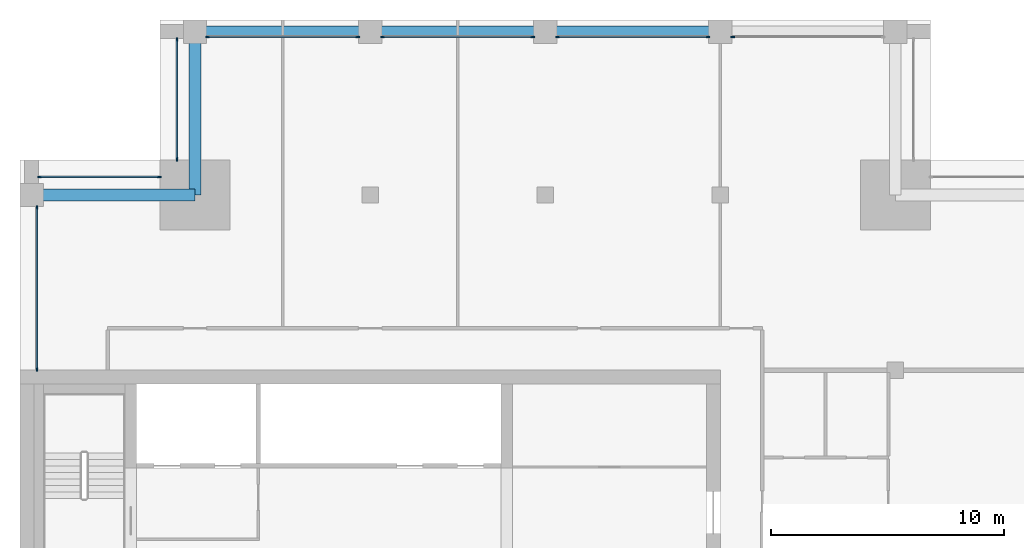
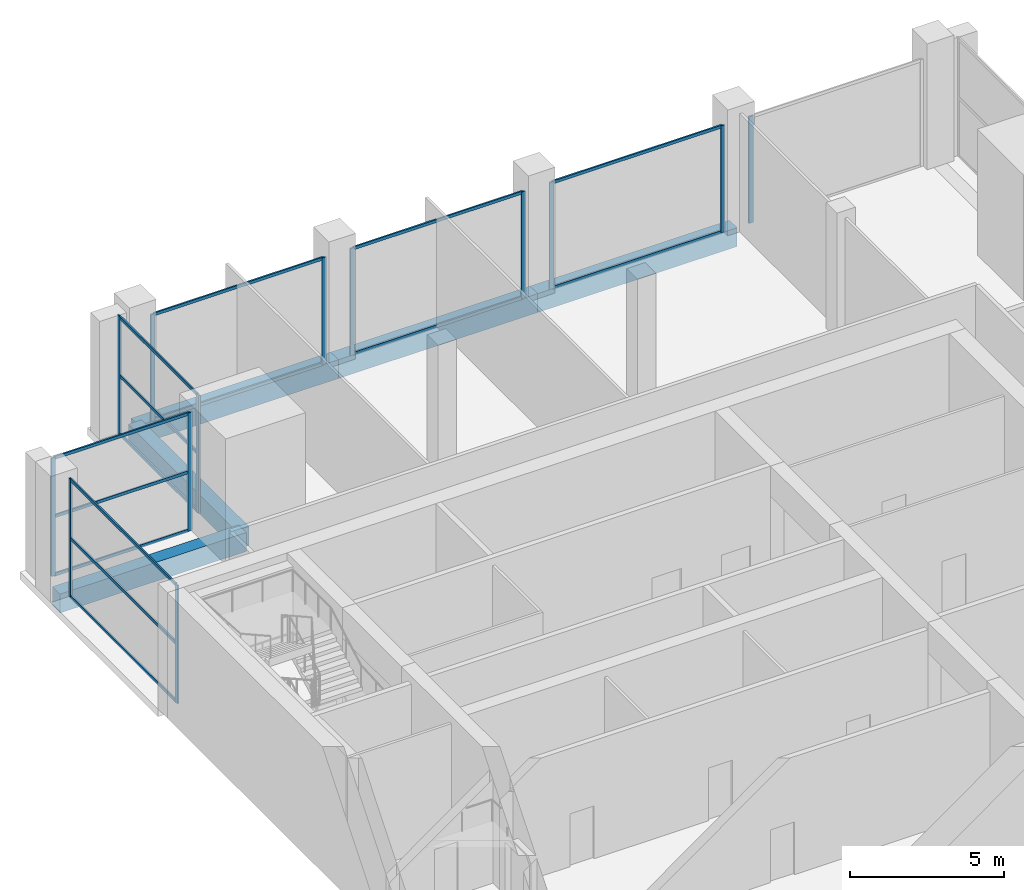
# One storey, part 5 of 15: 28 members, 5 beams, 7 elements without a shape of their own.
"""IFC4 building model written with IfcOpenShell, lengths in metres."""

from ifc_helpers import new_model, si_unit, direction, frame, origin, origin_2d, place, context, subcontext, project, spatial, rectangle, extrude, material, layer, layer_set, material_profile, profile_set, type_object, element, aggregate, save


model = new_model("IFC4")

# Units and contexts
model_context = context("Model", 3, precision=1e-05, world=origin(), true_north=direction((0.0, 1.0)))
body_context = subcontext(model_context, "Body", "Model", "MODEL_VIEW")
ifc_project = project(units=[si_unit("LENGTHUNIT", "METRE"), si_unit("AREAUNIT", "SQUARE_METRE"), si_unit("VOLUMEUNIT", "CUBIC_METRE"), si_unit("PLANEANGLEUNIT", "RADIAN"), si_unit("MASSUNIT", "GRAM", prefix="KILO")], contexts=[model_context])

# Site, building, storey
site_placement = place(None, origin())
site = spatial("IfcSite", under=ifc_project, at=site_placement, CompositionType="ELEMENT")
building_placement = place(site_placement, origin())
building = spatial("IfcBuilding", under=site, at=building_placement, Name="Tamorin Gate", CompositionType="ELEMENT")
storey_placement = place(building_placement, frame((0.0, 0.0, 287.199951171875)))
storey = spatial("IfcBuildingStorey", under=building, at=storey_placement, Name="L72", CompositionType="ELEMENT", Elevation=287.199951171875)

# Curtain wall, member
ifc_material_1 = material(Name="Aluminium mullions and transoms with clear glass", Category="aluminium")
ifc_layer = layer(ifc_material_1, 0.159912109375)
ifc_layer_set = layer_set([ifc_layer], Name="Curtain wall system CW2")
curtain_wall_type = type_object("IfcCurtainWallType", Name="Curtain wall system CW2", PredefinedType="NOTDEFINED", material=ifc_layer_set)
curtain_wall_1_placement = place(storey_placement, origin())
curtain_wall_1 = element("IfcCurtainWall", 1, at=curtain_wall_1_placement, inside=storey, type_object=curtain_wall_type, Name="Curtain wall", PredefinedType="NOTDEFINED")
ifc_material_2 = material(Name="Aluminium", Category="aluminium")
ifc_material_profile_1 = material_profile(ifc_material_2, rectangle(XDim=0.06005859375, YDim=0.159912109375, at=origin_2d()), Name="RECT 60x160")
ifc_profile_set_1 = profile_set([ifc_material_profile_1], Name="Aluminium")
member_type_1 = type_object("IfcMemberType", Name="Aluminium mullion 60x160", PredefinedType="MULLION", material=ifc_profile_set_1)
member_1_placement = place(storey_placement, frame((60.530029296875, 96.780029296875, 0.0), z_axis=(0.0, 0.0, 1.0), x_axis=(0.0, -1.0, 0.0)))
member_1 = element("IfcMember", 2, at=member_1_placement, type_object=member_type_1, Name="CW2 mullion 2", PredefinedType="MULLION", context=body_context, shape_type="SweptSolid", body=[
    extrude(rectangle(XDim=0.06005859375, YDim=0.159912109375, at=origin_2d()), origin(), (0.0, 0.0, 1.0), 4.25),
])
aggregate(curtain_wall_1, [member_1])

# Curtain wall, members
curtain_wall_2_placement = place(storey_placement, origin())
curtain_wall_2 = element("IfcCurtainWall", 3, at=curtain_wall_2_placement, inside=storey, type_object=curtain_wall_type, Name="Curtain wall", PredefinedType="NOTDEFINED")
member_2_placement = place(storey_placement, frame((59.469970703125, 96.780029296875, 0.0), z_axis=(0.0, 0.0, 1.0), x_axis=(0.0, -1.0, 0.0)))
member_2 = element("IfcMember", 4, at=member_2_placement, type_object=member_type_1, Name="CW2 mullion 1", PredefinedType="MULLION", context=body_context, shape_type="SweptSolid", body=[
    extrude(rectangle(XDim=0.06005859375, YDim=0.159912109375, at=origin_2d()), origin(), (0.0, 0.0, 1.0), 4.25),
])
member_3_placement = place(storey_placement, frame((53.030029296875, 96.780029296875, 0.0), z_axis=(0.0, 0.0, 1.0), x_axis=(0.0, -1.0, 0.0)))
member_3 = element("IfcMember", 5, at=member_3_placement, type_object=member_type_1, Name="CW2 mullion 2", PredefinedType="MULLION", context=body_context, shape_type="SweptSolid", body=[
    extrude(rectangle(XDim=0.06005859375, YDim=0.159912109375, at=origin_2d()), origin(), (0.0, 0.0, 1.0), 4.25),
])

curtain_wall_3_placement = place(storey_placement, origin())
curtain_wall_3 = element("IfcCurtainWall", 6, at=curtain_wall_3_placement, inside=storey, type_object=curtain_wall_type, Name="Curtain wall", PredefinedType="NOTDEFINED")
member_4_placement = place(storey_placement, frame((51.969970703125, 96.780029296875, 0.0), z_axis=(0.0, 0.0, 1.0), x_axis=(0.0, -1.0, 0.0)))
member_4 = element("IfcMember", 7, at=member_4_placement, type_object=member_type_1, Name="CW2 mullion 1", PredefinedType="MULLION", context=body_context, shape_type="SweptSolid", body=[
    extrude(rectangle(XDim=0.06005859375, YDim=0.159912109375, at=origin_2d()), origin(), (0.0, 0.0, 1.0), 4.25),
])
member_5_placement = place(storey_placement, frame((45.530029296875, 96.780029296875, 0.0), z_axis=(0.0, 0.0, 1.0), x_axis=(0.0, -1.0, 0.0)))
member_5 = element("IfcMember", 8, at=member_5_placement, type_object=member_type_1, Name="CW2 mullion 2", PredefinedType="MULLION", context=body_context, shape_type="SweptSolid", body=[
    extrude(rectangle(XDim=0.06005859375, YDim=0.159912109375, at=origin_2d()), origin(), (0.0, 0.0, 1.0), 4.25),
])

curtain_wall_4_placement = place(storey_placement, origin())
curtain_wall_4 = element("IfcCurtainWall", 9, at=curtain_wall_4_placement, inside=storey, type_object=curtain_wall_type, Name="Curtain wall", PredefinedType="NOTDEFINED")
member_6_placement = place(storey_placement, frame((44.469970703125, 96.780029296875, 0.0), z_axis=(0.0, 0.0, 1.0), x_axis=(0.0, -1.0, 0.0)))
member_6 = element("IfcMember", 10, at=member_6_placement, type_object=member_type_1, Name="CW2 mullion 1", PredefinedType="MULLION", context=body_context, shape_type="SweptSolid", body=[
    extrude(rectangle(XDim=0.06005859375, YDim=0.159912109375, at=origin_2d()), origin(), (0.0, 0.0, 1.0), 4.25),
])
member_7_placement = place(storey_placement, frame((38.030029296875, 96.780029296875, 0.0), z_axis=(0.0, 0.0, 1.0), x_axis=(0.0, -1.0, 0.0)))
member_7 = element("IfcMember", 11, at=member_7_placement, type_object=member_type_1, Name="CW2 mullion 2", PredefinedType="MULLION", context=body_context, shape_type="SweptSolid", body=[
    extrude(rectangle(XDim=0.06005859375, YDim=0.159912109375, at=origin_2d()), origin(), (0.0, 0.0, 1.0), 4.25),
])

curtain_wall_5_placement = place(storey_placement, origin())
curtain_wall_5 = element("IfcCurtainWall", 12, at=curtain_wall_5_placement, inside=storey, type_object=curtain_wall_type, Name="Curtain wall", PredefinedType="NOTDEFINED")
member_8_placement = place(storey_placement, frame((36.719970703125, 96.669921875, 0.0), z_axis=(0.0, 0.0, 1.0), x_axis=(1.0, 0.0, 0.0)))
member_8 = element("IfcMember", 13, at=member_8_placement, type_object=member_type_1, Name="CW2 mullion 1", PredefinedType="MULLION", context=body_context, shape_type="SweptSolid", body=[
    extrude(rectangle(XDim=0.06005859375, YDim=0.159912109375, at=origin_2d()), origin(), (0.0, 0.0, 1.0), 4.699951171875),
])
member_9_placement = place(storey_placement, frame((36.719970703125, 91.530029296875, 0.0), z_axis=(0.0, 0.0, 1.0), x_axis=(1.0, 0.0, 0.0)))
member_9 = element("IfcMember", 14, at=member_9_placement, type_object=member_type_1, Name="CW2 mullion 2", PredefinedType="MULLION", context=body_context, shape_type="SweptSolid", body=[
    extrude(rectangle(XDim=0.06005859375, YDim=0.159912109375, at=origin_2d()), origin(), (0.0, 0.0, 1.0), 4.699951171875),
])

curtain_wall_6_placement = place(storey_placement, origin())
curtain_wall_6 = element("IfcCurtainWall", 15, at=curtain_wall_6_placement, inside=storey, type_object=curtain_wall_type, Name="Curtain wall", PredefinedType="NOTDEFINED")
member_10_placement = place(storey_placement, frame((35.969970703125, 90.780029296875, 0.0), z_axis=(0.0, 0.0, 1.0), x_axis=(0.0, -1.0, 0.0)))
member_10 = element("IfcMember", 16, at=member_10_placement, type_object=member_type_1, Name="CW2 mullion 1", PredefinedType="MULLION", context=body_context, shape_type="SweptSolid", body=[
    extrude(rectangle(XDim=0.06005859375, YDim=0.159912109375, at=origin_2d()), origin(), (0.0, 0.0, 1.0), 4.699951171875),
])
member_11_placement = place(storey_placement, frame((30.830078125, 90.780029296875, 0.0), z_axis=(0.0, 0.0, 1.0), x_axis=(0.0, -1.0, 0.0)))
member_11 = element("IfcMember", 17, at=member_11_placement, type_object=member_type_1, Name="CW2 mullion 2", PredefinedType="MULLION", context=body_context, shape_type="SweptSolid", body=[
    extrude(rectangle(XDim=0.06005859375, YDim=0.159912109375, at=origin_2d()), origin(), (0.0, 0.0, 1.0), 4.699951171875),
])

curtain_wall_7_placement = place(storey_placement, origin())
curtain_wall_7 = element("IfcCurtainWall", 18, at=curtain_wall_7_placement, inside=storey, type_object=curtain_wall_type, Name="Curtain wall", PredefinedType="NOTDEFINED")
member_12_placement = place(storey_placement, frame((30.719970703125, 89.469970703125, 0.0), z_axis=(0.0, 0.0, 1.0), x_axis=(1.0, 0.0, 0.0)))
member_12 = element("IfcMember", 19, at=member_12_placement, type_object=member_type_1, Name="CW2 mullion 1", PredefinedType="MULLION", context=body_context, shape_type="SweptSolid", body=[
    extrude(rectangle(XDim=0.06005859375, YDim=0.159912109375, at=origin_2d()), origin(), (0.0, 0.0, 1.0), 4.699951171875),
])
member_13_placement = place(storey_placement, frame((30.719970703125, 82.530029296875, 0.0), z_axis=(0.0, 0.0, 1.0), x_axis=(1.0, 0.0, 0.0)))
member_13 = element("IfcMember", 20, at=member_13_placement, type_object=member_type_1, Name="CW2 mullion 2", PredefinedType="MULLION", context=body_context, shape_type="SweptSolid", body=[
    extrude(rectangle(XDim=0.06005859375, YDim=0.159912109375, at=origin_2d()), origin(), (0.0, 0.0, 1.0), 4.699951171875),
])

# Member
ifc_material_profile_2 = material_profile(ifc_material_2, rectangle(XDim=0.06005859375, YDim=0.1201171875, at=origin_2d()), Name="RECT 60x120")
ifc_profile_set_2 = profile_set([ifc_material_profile_2], Name="Aluminium")
member_type_2 = type_object("IfcMemberType", Name="Aluminium transom 60x120", PredefinedType="USERDEFINED", material=ifc_profile_set_2)
member_14_placement = place(storey_placement, frame((59.43994140625, 96.780029296875, 0.030029296875), z_axis=(-1.0, 0.0, 0.0), x_axis=(0.0, -1.0, 0.0)))
member_14 = element("IfcMember", 21, at=member_14_placement, type_object=member_type_2, Name="CW2 transom 1.1", ObjectType="TRANSOM", PredefinedType="USERDEFINED", context=body_context, shape_type="SweptSolid", body=[
    extrude(rectangle(XDim=0.06005859375, YDim=0.1201171875, at=origin_2d()), origin(), (0.0, 0.0, 1.0), 6.3798828125),
])

member_15_placement = place(storey_placement, frame((59.43994140625, 96.780029296875, 4.219970703125), z_axis=(-1.0, 0.0, 0.0), x_axis=(0.0, -1.0, 0.0)))
member_15 = element("IfcMember", 22, at=member_15_placement, type_object=member_type_2, Name="CW2 transom 1.2", ObjectType="TRANSOM", PredefinedType="USERDEFINED", context=body_context, shape_type="SweptSolid", body=[
    extrude(rectangle(XDim=0.06005859375, YDim=0.1201171875, at=origin_2d()), origin(), (0.0, 0.0, 1.0), 6.3798828125),
])

aggregate(curtain_wall_2, [member_2, member_3, member_14, member_15])

member_16_placement = place(storey_placement, frame((51.93994140625, 96.780029296875, 0.030029296875), z_axis=(-1.0, 0.0, 0.0), x_axis=(0.0, -1.0, 0.0)))
member_16 = element("IfcMember", 23, at=member_16_placement, type_object=member_type_2, Name="CW2 transom 1.1", ObjectType="TRANSOM", PredefinedType="USERDEFINED", context=body_context, shape_type="SweptSolid", body=[
    extrude(rectangle(XDim=0.06005859375, YDim=0.1201171875, at=origin_2d()), origin(), (0.0, 0.0, 1.0), 6.3798828125),
])

member_17_placement = place(storey_placement, frame((51.93994140625, 96.780029296875, 4.219970703125), z_axis=(-1.0, 0.0, 0.0), x_axis=(0.0, -1.0, 0.0)))
member_17 = element("IfcMember", 24, at=member_17_placement, type_object=member_type_2, Name="CW2 transom 1.2", ObjectType="TRANSOM", PredefinedType="USERDEFINED", context=body_context, shape_type="SweptSolid", body=[
    extrude(rectangle(XDim=0.06005859375, YDim=0.1201171875, at=origin_2d()), origin(), (0.0, 0.0, 1.0), 6.3798828125),
])

aggregate(curtain_wall_3, [member_4, member_5, member_16, member_17])

member_18_placement = place(storey_placement, frame((44.43994140625, 96.780029296875, 0.030029296875), z_axis=(-1.0, 0.0, 0.0), x_axis=(0.0, -1.0, 0.0)))
member_18 = element("IfcMember", 25, at=member_18_placement, type_object=member_type_2, Name="CW2 transom 1.1", ObjectType="TRANSOM", PredefinedType="USERDEFINED", context=body_context, shape_type="SweptSolid", body=[
    extrude(rectangle(XDim=0.06005859375, YDim=0.1201171875, at=origin_2d()), origin(), (0.0, 0.0, 1.0), 6.3798828125),
])

member_19_placement = place(storey_placement, frame((44.43994140625, 96.780029296875, 4.219970703125), z_axis=(-1.0, 0.0, 0.0), x_axis=(0.0, -1.0, 0.0)))
member_19 = element("IfcMember", 26, at=member_19_placement, type_object=member_type_2, Name="CW2 transom 1.2", ObjectType="TRANSOM", PredefinedType="USERDEFINED", context=body_context, shape_type="SweptSolid", body=[
    extrude(rectangle(XDim=0.06005859375, YDim=0.1201171875, at=origin_2d()), origin(), (0.0, 0.0, 1.0), 6.3798828125),
])

aggregate(curtain_wall_4, [member_6, member_7, member_18, member_19])

member_20_placement = place(storey_placement, frame((36.719970703125, 96.639892578125, 0.030029296875), z_axis=(0.0, -1.0, 0.0), x_axis=(1.0, 0.0, 0.0)))
member_20 = element("IfcMember", 27, at=member_20_placement, type_object=member_type_2, Name="CW2 transom 1.1", ObjectType="TRANSOM", PredefinedType="USERDEFINED", context=body_context, shape_type="SweptSolid", body=[
    extrude(rectangle(XDim=0.06005859375, YDim=0.1201171875, at=origin_2d()), origin(), (0.0, 0.0, 1.0), 5.079833984375),
])

member_21_placement = place(storey_placement, frame((36.719970703125, 96.639892578125, 2.35009765625), z_axis=(0.0, -1.0, 0.0), x_axis=(1.0, 0.0, 0.0)))
member_21 = element("IfcMember", 28, at=member_21_placement, type_object=member_type_2, Name="CW2 transom 1.2", ObjectType="TRANSOM", PredefinedType="USERDEFINED", context=body_context, shape_type="SweptSolid", body=[
    extrude(rectangle(XDim=0.06005859375, YDim=0.1201171875, at=origin_2d()), origin(), (0.0, 0.0, 1.0), 5.079833984375),
])

member_22_placement = place(storey_placement, frame((36.719970703125, 96.639892578125, 4.670166015625), z_axis=(0.0, -1.0, 0.0), x_axis=(1.0, 0.0, 0.0)))
member_22 = element("IfcMember", 29, at=member_22_placement, type_object=member_type_2, Name="CW2 transom 1.3", ObjectType="TRANSOM", PredefinedType="USERDEFINED", context=body_context, shape_type="SweptSolid", body=[
    extrude(rectangle(XDim=0.06005859375, YDim=0.1201171875, at=origin_2d()), origin(), (0.0, 0.0, 1.0), 5.079833984375),
])

aggregate(curtain_wall_5, [member_8, member_9, member_20, member_21, member_22])

member_23_placement = place(storey_placement, frame((35.93994140625, 90.780029296875, 0.030029296875), z_axis=(-1.0, 0.0, 0.0), x_axis=(0.0, -1.0, 0.0)))
member_23 = element("IfcMember", 30, at=member_23_placement, type_object=member_type_2, Name="CW2 transom 1.1", ObjectType="TRANSOM", PredefinedType="USERDEFINED", context=body_context, shape_type="SweptSolid", body=[
    extrude(rectangle(XDim=0.06005859375, YDim=0.1201171875, at=origin_2d()), origin(), (0.0, 0.0, 1.0), 5.079833984375),
])

member_24_placement = place(storey_placement, frame((35.93994140625, 90.780029296875, 2.35009765625), z_axis=(-1.0, 0.0, 0.0), x_axis=(0.0, -1.0, 0.0)))
member_24 = element("IfcMember", 31, at=member_24_placement, type_object=member_type_2, Name="CW2 transom 1.2", ObjectType="TRANSOM", PredefinedType="USERDEFINED", context=body_context, shape_type="SweptSolid", body=[
    extrude(rectangle(XDim=0.06005859375, YDim=0.1201171875, at=origin_2d()), origin(), (0.0, 0.0, 1.0), 5.079833984375),
])

member_25_placement = place(storey_placement, frame((35.93994140625, 90.780029296875, 4.670166015625), z_axis=(-1.0, 0.0, 0.0), x_axis=(0.0, -1.0, 0.0)))
member_25 = element("IfcMember", 32, at=member_25_placement, type_object=member_type_2, Name="CW2 transom 1.3", ObjectType="TRANSOM", PredefinedType="USERDEFINED", context=body_context, shape_type="SweptSolid", body=[
    extrude(rectangle(XDim=0.06005859375, YDim=0.1201171875, at=origin_2d()), origin(), (0.0, 0.0, 1.0), 5.079833984375),
])

aggregate(curtain_wall_6, [member_10, member_11, member_23, member_24, member_25])

member_26_placement = place(storey_placement, frame((30.719970703125, 89.43994140625, 0.030029296875), z_axis=(0.0, -1.0, 0.0), x_axis=(1.0, 0.0, 0.0)))
member_26 = element("IfcMember", 33, at=member_26_placement, type_object=member_type_2, Name="CW2 transom 1.1", ObjectType="TRANSOM", PredefinedType="USERDEFINED", context=body_context, shape_type="SweptSolid", body=[
    extrude(rectangle(XDim=0.06005859375, YDim=0.1201171875, at=origin_2d()), origin(), (0.0, 0.0, 1.0), 6.8798828125),
])

member_27_placement = place(storey_placement, frame((30.719970703125, 89.43994140625, 2.35009765625), z_axis=(0.0, -1.0, 0.0), x_axis=(1.0, 0.0, 0.0)))
member_27 = element("IfcMember", 34, at=member_27_placement, type_object=member_type_2, Name="CW2 transom 1.2", ObjectType="TRANSOM", PredefinedType="USERDEFINED", context=body_context, shape_type="SweptSolid", body=[
    extrude(rectangle(XDim=0.06005859375, YDim=0.1201171875, at=origin_2d()), origin(), (0.0, 0.0, 1.0), 6.8798828125),
])

member_28_placement = place(storey_placement, frame((30.719970703125, 89.43994140625, 4.670166015625), z_axis=(0.0, -1.0, 0.0), x_axis=(1.0, 0.0, 0.0)))
member_28 = element("IfcMember", 35, at=member_28_placement, type_object=member_type_2, Name="CW2 transom 1.3", ObjectType="TRANSOM", PredefinedType="USERDEFINED", context=body_context, shape_type="SweptSolid", body=[
    extrude(rectangle(XDim=0.06005859375, YDim=0.1201171875, at=origin_2d()), origin(), (0.0, 0.0, 1.0), 6.8798828125),
])

aggregate(curtain_wall_7, [member_12, member_13, member_26, member_27, member_28])

# Beams
ifc_material_3 = material(Name="Concrete C50/60", Category="concrete")
ifc_material_profile_3 = material_profile(ifc_material_3, rectangle(XDim=0.5, YDim=0.75, at=origin_2d()), Name="RC 500x750")
ifc_profile_set_3 = profile_set([ifc_material_profile_3], Name="Concrete C50/60")
beam_type = type_object("IfcBeamType", Name="RC spandrel 500x750 C50/60", PredefinedType="BEAM", material=ifc_profile_set_3)
for number, where, z_axis, x_axis, name in (
    (36, (60.0, 97.0, -0.375), (-1.0, 0.0, 0.0), (0.0, -1.0, 0.0), "Spandrel beam L72"),
    (37, (52.5, 97.0, -0.375), (-1.0, 0.0, 0.0), (0.0, -1.0, 0.0), "Spandrel beam L72"),
    (38, (45.0, 97.0, -0.375), (-1.0, 0.0, 0.0), (0.0, -1.0, 0.0), "Spandrel beam L72"),
):
    element("IfcBeam", number, at=place(storey_placement, frame(where, z_axis=z_axis, x_axis=x_axis)), inside=storey, type_object=beam_type, Name=name, PredefinedType="BEAM", context=body_context, shape_type="SweptSolid", body=[
        extrude(rectangle(XDim=0.5, YDim=0.75, at=origin_2d()), origin(), (0.0, 0.0, 1.0), 7.5),
    ])
for number, where, z_axis, x_axis, name in (
    (39, (37.5, 90.0, -0.375), (-1.0, 0.0, 0.0), (0.0, -1.0, 0.0), "Corner tie beam L72"),
    (40, (37.5, 90.0, -0.375), (0.0, 1.0, 0.0), (-1.0, 0.0, 0.0), "Corner tie beam L72"),
):
    element("IfcBeam", number, at=place(storey_placement, frame(where, z_axis=z_axis, x_axis=x_axis)), inside=storey, type_object=beam_type, Name=name, PredefinedType="BEAM", context=body_context, shape_type="SweptSolid", body=[
        extrude(rectangle(XDim=0.5, YDim=0.75, at=origin_2d()), origin(), (0.0, 0.0, 1.0), 7.0),
    ])

save(model, "model.ifc")
